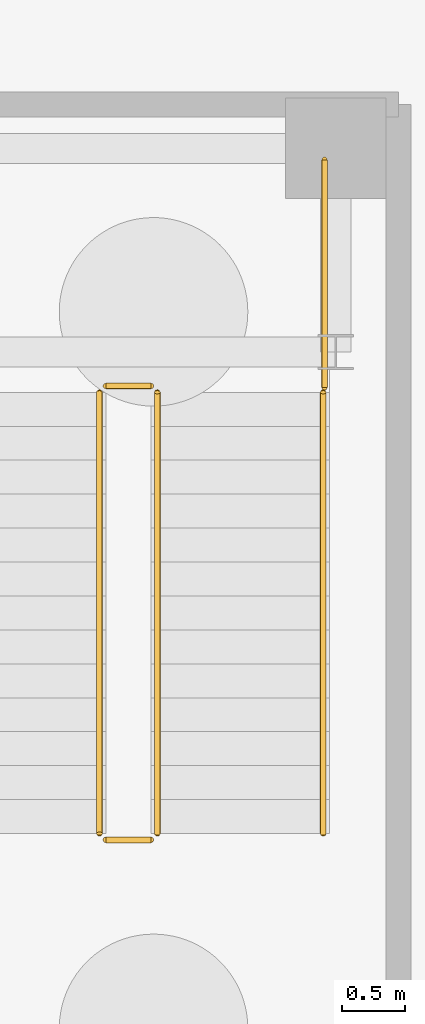
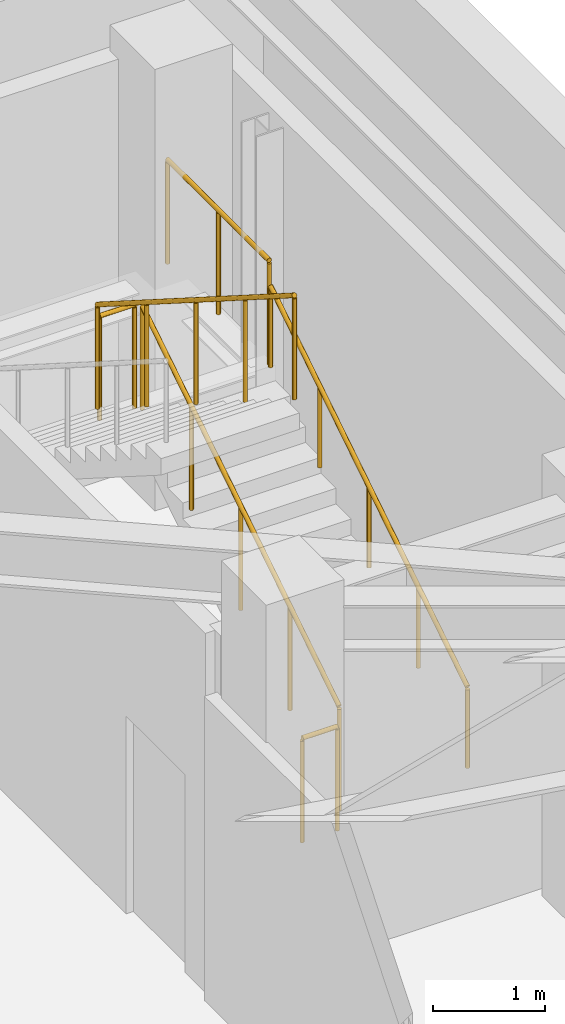
# One storey, part 19 of 20: 6 railings.
"""IFC4 building model written with IfcOpenShell, lengths in metres."""

import ifcopenshell
import ifcopenshell.guid

model = None  # the IFC model being written
_history = None  # IfcOwnerHistory: only IFC2X3 demands one
_inside = {}  # id of a spatial element -> (the spatial element, [elements in it])
_under = {}  # id of a project, library or spatial element -> (it, [spatial elements below it])
_declared = {}  # id of a project -> (the project, [libraries it declares])
_typed = {}  # id of a type object -> (the type object, [elements of that type])
_made_of = {}  # id of a material, layer set ... -> (it, [elements and type objects made of it])


def new_model(schema):
    """Start an empty IFC model of exactly this schema.

    Asked for "IFC4X3", IfcOpenShell would pick the latest addendum, in which some entities
    have other attributes; the version numbers below select the first issue.
    IFC2X3 requires an IfcOwnerHistory on every rooted entity: one is made here for all.
    """
    global model, _history
    if schema == "IFC4X3":
        model = ifcopenshell.file(schema_version=(4, 3, 0, 0))
    else:
        model = ifcopenshell.file(schema=schema)
    _inside.clear()
    _under.clear()
    _declared.clear()
    _typed.clear()
    _made_of.clear()
    _history = None
    if model.schema == "IFC2X3":
        org = make("IfcOrganization", Name="unknown")
        user = make(
            "IfcPersonAndOrganization",
            ThePerson=make("IfcPerson", FamilyName="unknown"),
            TheOrganization=org,
        )
        app = make(
            "IfcApplication",
            ApplicationDeveloper=org,
            Version="unknown",
            ApplicationFullName="unknown",
            ApplicationIdentifier="unknown",
        )
        _history = make(
            "IfcOwnerHistory",
            OwningUser=user,
            OwningApplication=app,
            ChangeAction="ADDED",
            CreationDate=0,
        )
    return model


def make(cls, **values):
    """One entity of the class cls with the attributes given. An attribute that is None is left unset."""
    return model.create_entity(
        cls, **{name: value for name, value in values.items() if value is not None}
    )


def rooted(cls, **values):
    """An entity with a GlobalId (a new one), such as an element, a storey or a relation."""
    return make(cls, GlobalId=ifcopenshell.guid.new(), OwnerHistory=_history, **values)


def si_unit(unit_type, name, prefix=None):
    """IfcSIUnit, for example si_unit("LENGTHUNIT", "METRE", prefix="MILLI")."""
    return make("IfcSIUnit", UnitType=unit_type, Prefix=prefix, Name=name)


def assignment(units):
    """IfcUnitAssignment: the units of a project."""
    return None if units is None else make("IfcUnitAssignment", Units=units)


def point(xyz):
    """IfcCartesianPoint."""
    return None if xyz is None else make("IfcCartesianPoint", Coordinates=xyz)


def direction(xyz):
    """IfcDirection."""
    return None if xyz is None else make("IfcDirection", DirectionRatios=xyz)


def frame(location, z_axis=None, x_axis=None):
    """IfcAxis2Placement3D, a coordinate frame: its origin and axes. An axis left out is left unset."""
    return make(
        "IfcAxis2Placement3D",
        Location=point(location),
        Axis=direction(z_axis),
        RefDirection=direction(x_axis),
    )


def frame_2d(location, x_axis=None):
    """IfcAxis2Placement2D, a coordinate frame in the plane: its origin and x axis."""
    return make(
        "IfcAxis2Placement2D", Location=point(location), RefDirection=direction(x_axis)
    )


def origin():
    """The frame at (0, 0, 0) with its axes left unset."""
    return frame((0.0, 0.0, 0.0))


def origin_2d():
    """The frame at (0, 0) in the plane with its x axis left unset."""
    return frame_2d((0.0, 0.0))


def place(relative_to, where):
    """IfcLocalPlacement: puts the frame where relative to a parent placement (None: the world)."""
    return make(
        "IfcLocalPlacement", PlacementRelTo=relative_to, RelativePlacement=where
    )


def context(
    kind, dimensions, precision=None, world=None, true_north=None, identifier=None
):
    """IfcGeometricRepresentationContext, for example the 3D "Model" context."""
    return make(
        "IfcGeometricRepresentationContext",
        ContextIdentifier=identifier,
        ContextType=kind,
        CoordinateSpaceDimension=dimensions,
        Precision=precision,
        WorldCoordinateSystem=world,
        TrueNorth=true_north,
    )


def subcontext(parent, identifier, kind, view, scale=None):
    """IfcGeometricRepresentationSubContext, for example "Body" below "Model"."""
    return make(
        "IfcGeometricRepresentationSubContext",
        ContextIdentifier=identifier,
        ContextType=kind,
        ParentContext=parent,
        TargetScale=scale,
        TargetView=view,
    )


def project(units=None, contexts=None):
    """IfcProject with its units and contexts."""
    return rooted(
        "IfcProject",
        Name="project",
        RepresentationContexts=contexts,
        UnitsInContext=assignment(units),
    )


def spatial(cls, under=None, at=None, **own):
    """A site, building, storey or space (cls), placed at a placement, below another one or the project."""
    s = rooted(cls, ObjectPlacement=at, **own)
    if under is not None:
        _under.setdefault(under.id(), (under, []))[1].append(s)
    return s


def profile(cls, at=None, kind="AREA", **sizes):
    """A parametric profile (cls). Its sizes go by their IFC names, for example OverallWidth=200.0."""
    return make(cls, ProfileType=kind, Position=at, **sizes)


def circle(**sizes):
    """IfcCircleProfileDef."""
    return profile("IfcCircleProfileDef", **sizes)


def extrude(swept, where, along, depth):
    """IfcExtrudedAreaSolid: the profile swept, set in the frame where, extruded along a direction by depth."""
    return make(
        "IfcExtrudedAreaSolid",
        SweptArea=swept,
        Position=where,
        ExtrudedDirection=direction(along),
        Depth=depth,
    )


def shape(context_of_items, identifier, shape_type, items):
    """IfcShapeRepresentation: the items that make up one representation, for example the "Body"."""
    return make(
        "IfcShapeRepresentation",
        ContextOfItems=context_of_items,
        RepresentationIdentifier=identifier,
        RepresentationType=shape_type,
        Items=items,
    )


def material(Name=None, Category=None):
    """IfcMaterial."""
    return make("IfcMaterial", Name=Name, Category=Category)


def layer(
    of_material, thickness, ventilated=None, Name=None, Category=None, Priority=None
):
    """IfcMaterialLayer: one layer of a wall or slab, of a material (None: an air gap)."""
    return make(
        "IfcMaterialLayer",
        Material=of_material,
        LayerThickness=thickness,
        IsVentilated=ventilated,
        Name=Name,
        Category=Category,
        Priority=Priority,
    )


def layer_set(layers, Name=None):
    """IfcMaterialLayerSet."""
    return make("IfcMaterialLayerSet", MaterialLayers=layers, LayerSetName=Name)


def made_of(thing, what):
    """Note that an element or type object is made of a material, layer set ...; save() writes the relation."""
    if what is not None:
        _made_of.setdefault(what.id(), (what, []))[1].append(thing)
    return thing


def type_object(cls, material=None, **own):
    """A type object (cls), such as IfcWallType, which elements share."""
    return made_of(rooted(cls, **own), material)


def element(
    cls,
    number,
    at=None,
    inside=None,
    cuts=None,
    type_object=None,
    material=None,
    context=None,
    identifier="Body",
    shape_type=None,
    held_by="IfcProductDefinitionShape",
    body=None,
    shapes=None,
    **own,
):
    """One element of the class cls, such as IfcWall. Its Tag is "e" and its number.

    at: its placement. inside: the storey or other place that contains it. cuts: it is an
    opening in that element (IfcRelVoidsElement). A single representation is given by context,
    identifier, shape_type and body (its items); several are given by shapes. held_by: the class
    of the entity that holds the representations. save() writes the other relations.
    """
    e = rooted(cls, Tag="e%d" % number, ObjectPlacement=at, **own)
    if body is not None:
        shapes = [shape(context, identifier, shape_type, body)]
    if shapes is not None:
        e.Representation = make(held_by, Representations=shapes)
    if inside is not None:
        _inside.setdefault(inside.id(), (inside, []))[1].append(e)
    if cuts is not None:
        rooted(
            "IfcRelVoidsElement", RelatingBuildingElement=cuts, RelatedOpeningElement=e
        )
    if type_object is not None:
        _typed.setdefault(type_object.id(), (type_object, []))[1].append(e)
    return made_of(e, material)


def aggregate(whole, parts):
    """IfcRelAggregates: a whole, such as a stair, and the parts it consists of."""
    return rooted("IfcRelAggregates", RelatingObject=whole, RelatedObjects=parts)


def save(model, path):
    """Write the relations noted so far, then the file.

    IfcRelAggregates (storeys below a building ...), IfcRelContainedInSpatialStructure (elements
    in a storey), IfcRelDefinesByType, IfcRelAssociatesMaterial and IfcRelDeclares: one each for
    every whole, place, type object, material and project.
    """
    for whole, parts in _under.values():
        aggregate(whole, parts)
    for where, things in _inside.values():
        rooted(
            "IfcRelContainedInSpatialStructure",
            RelatedElements=things,
            RelatingStructure=where,
        )
    for kind, things in _typed.values():
        rooted("IfcRelDefinesByType", RelatedObjects=things, RelatingType=kind)
    for what, things in _made_of.values():
        rooted("IfcRelAssociatesMaterial", RelatedObjects=things, RelatingMaterial=what)
    for by, libraries in _declared.values():
        rooted("IfcRelDeclares", RelatingContext=by, RelatedDefinitions=libraries)
    model.write(path)


model = new_model("IFC4")

# Units and contexts
model_context = context("Model", 3, precision=1e-05, world=origin(), true_north=direction((0.0, 1.0)))
body_context = subcontext(model_context, "Body", "Model", "MODEL_VIEW")
ifc_project = project(units=[si_unit("LENGTHUNIT", "METRE"), si_unit("AREAUNIT", "SQUARE_METRE"), si_unit("VOLUMEUNIT", "CUBIC_METRE"), si_unit("PLANEANGLEUNIT", "RADIAN"), si_unit("MASSUNIT", "GRAM", prefix="KILO")], contexts=[model_context])

# Site, building, storey
site_placement = place(None, origin())
site = spatial("IfcSite", under=ifc_project, at=site_placement, CompositionType="ELEMENT")
building_placement = place(site_placement, origin())
building = spatial("IfcBuilding", under=site, at=building_placement, Name="Terralouvre Media Tower", CompositionType="ELEMENT")
storey_placement = place(building_placement, frame((0.0, 0.0, -9.60009765625)))
storey = spatial("IfcBuildingStorey", under=building, at=storey_placement, Name="B02", CompositionType="ELEMENT", Elevation=-9.60009765625)

# Railings
ifc_material_1 = material(Name="Stainless steel 316 handrail and balustrade", Category="steel")
ifc_layer_1 = layer(ifc_material_1, 0.050048828125, Name="Stair Flight Wall Handrail HR-INT1")
ifc_layer_set_1 = layer_set([ifc_layer_1], Name="Stainless steel 316 handrail and balustrade")
railing_type_1 = type_object("IfcRailingType", Name="Stair Flight Wall Handrail HR-INT1", PredefinedType="HANDRAIL", material=ifc_layer_set_1)
railing_1_placement = place(storey_placement, frame((34.14990234375, 5.85009765625, 0.171630859375)))
element("IfcRailing", 1, at=railing_1_placement, inside=storey, type_object=railing_type_1, Name="B02 ST-04 stair handrail 1", PredefinedType="HANDRAIL", context=body_context, shape_type="SweptSolid", body=[
    extrude(circle(Radius=0.02392578125, at=origin_2d()), frame((0.0, 0.0, 0.8759765625), z_axis=(0.0, 0.844219563411, 0.53599750816), x_axis=(-1.0, 0.0, 0.0)), (0.0, 0.0, 1.0), 4.15771484375),
    extrude(circle(Radius=0.02099609375, at=origin_2d()), origin(), (0.0, 0.0, 1.0), 0.851806640625),
    extrude(circle(Radius=0.02099609375, at=origin_2d()), frame((0.0, 0.87744140625, 0.55712890625)), (0.0, 0.0, 1.0), 0.851806640625),
    extrude(circle(Radius=0.02099609375, at=origin_2d()), frame((0.0, 1.7548828125, 1.1142578125)), (0.0, 0.0, 1.0), 0.851806640625),
    extrude(circle(Radius=0.02099609375, at=origin_2d()), frame((0.0, 2.632568359375, 1.67138671875)), (0.0, 0.0, 1.0), 0.851806640625),
    extrude(circle(Radius=0.02099609375, at=origin_2d()), frame((0.0, 3.510009765625, 2.228515625)), (0.0, 0.0, 1.0), 0.851806640625),
])
ifc_material_2 = material(Name="Stainless steel 316 handrail and balustrade", Category="steel")
ifc_layer_2 = layer(ifc_material_2, 0.050048828125, Name="Stairwell Safety Guardrail GR-INT1")
ifc_layer_set_2 = layer_set([ifc_layer_2], Name="Stainless steel 316 handrail and balustrade")
railing_type_2 = type_object("IfcRailingType", Name="Stairwell Safety Guardrail GR-INT1", PredefinedType="GUARDRAIL", material=ifc_layer_set_2)
railing_2_placement = place(storey_placement, frame((32.830078125, 5.85009765625, 0.171630859375)))
element("IfcRailing", 2, at=railing_2_placement, inside=storey, type_object=railing_type_2, Name="B02 ST-04 stair guard 1", PredefinedType="GUARDRAIL", context=body_context, shape_type="SweptSolid", body=[
    extrude(circle(Radius=0.02392578125, at=origin_2d()), frame((0.0, 0.0, 1.1259765625), z_axis=(0.0, 0.844219563411, 0.53599750816), x_axis=(-1.0, 0.0, 0.0)), (0.0, 0.0, 1.0), 4.15771484375),
    extrude(circle(Radius=0.02099609375, at=origin_2d()), origin(), (0.0, 0.0, 1.0), 1.101806640625),
    extrude(circle(Radius=0.02099609375, at=origin_2d()), frame((0.0, 0.87744140625, 0.55712890625)), (0.0, 0.0, 1.0), 1.101806640625),
    extrude(circle(Radius=0.02099609375, at=origin_2d()), frame((0.0, 1.7548828125, 1.1142578125)), (0.0, 0.0, 1.0), 1.101806640625),
    extrude(circle(Radius=0.02099609375, at=origin_2d()), frame((0.0, 2.632568359375, 1.67138671875)), (0.0, 0.0, 1.0), 1.101806640625),
    extrude(circle(Radius=0.02099609375, at=origin_2d()), frame((0.0, 3.510009765625, 2.228515625)), (0.0, 0.0, 1.0), 1.101806640625),
])
railing_3_placement = place(storey_placement, frame((32.780029296875, 9.409912109375, 2.400146484375)))
element("IfcRailing", 3, at=railing_3_placement, inside=storey, type_object=railing_type_2, Name="B02 ST-04 stair guard 2", PredefinedType="GUARDRAIL", context=body_context, shape_type="SweptSolid", body=[
    extrude(circle(Radius=0.02392578125, at=origin_2d()), frame((0.0, 0.0, 1.1259765625), z_axis=(-1.0, 0.0, 0.0), x_axis=(0.0, -1.0, 0.0)), (0.0, 0.0, 1.0), 0.360107421875),
    extrude(circle(Radius=0.02099609375, at=origin_2d()), origin(), (0.0, 0.0, 1.0), 1.101806640625),
    extrude(circle(Radius=0.02099609375, at=origin_2d()), frame((-0.360107421875, 0.0, 0.0)), (0.0, 0.0, 1.0), 1.101806640625),
])
railing_4_placement = place(storey_placement, frame((32.3701171875, 9.360107421875, 2.571533203125)))
element("IfcRailing", 4, at=railing_4_placement, inside=storey, type_object=railing_type_2, Name="B02 ST-04 stair guard 3", PredefinedType="GUARDRAIL", context=body_context, shape_type="SweptSolid", body=[
    extrude(circle(Radius=0.02392578125, at=origin_2d()), frame((0.0, 0.0, 1.1259765625), z_axis=(0.0, -0.844219563411, 0.53599750816), x_axis=(1.0, 0.0, 0.0)), (0.0, 0.0, 1.0), 4.15771484375),
    extrude(circle(Radius=0.02099609375, at=origin_2d()), origin(), (0.0, 0.0, 1.0), 1.101806640625),
    extrude(circle(Radius=0.02099609375, at=origin_2d()), frame((0.0, -0.87744140625, 0.55712890625)), (0.0, 0.0, 1.0), 1.101806640625),
    extrude(circle(Radius=0.02099609375, at=origin_2d()), frame((0.0, -1.7548828125, 1.1142578125)), (0.0, 0.0, 1.0), 1.101806640625),
    extrude(circle(Radius=0.02099609375, at=origin_2d()), frame((0.0, -2.632568359375, 1.67138671875)), (0.0, 0.0, 1.0), 1.101806640625),
    extrude(circle(Radius=0.02099609375, at=origin_2d()), frame((0.0, -3.510009765625, 2.228515625)), (0.0, 0.0, 1.0), 1.101806640625),
])
railing_5_placement = place(storey_placement, frame((32.780029296875, 5.800048828125, 0.0)))
element("IfcRailing", 5, at=railing_5_placement, inside=storey, type_object=railing_type_2, Name="B02 ST-04 stair guard 4", PredefinedType="GUARDRAIL", context=body_context, shape_type="SweptSolid", body=[
    extrude(circle(Radius=0.02392578125, at=origin_2d()), frame((0.0, 0.0, 1.1259765625), z_axis=(-1.0, 0.0, 0.0), x_axis=(0.0, -1.0, 0.0)), (0.0, 0.0, 1.0), 0.360107421875),
    extrude(circle(Radius=0.02099609375, at=origin_2d()), origin(), (0.0, 0.0, 1.0), 1.101806640625),
    extrude(circle(Radius=0.02099609375, at=origin_2d()), frame((-0.360107421875, 0.0, 0.0)), (0.0, 0.0, 1.0), 1.101806640625),
])
railing_6_placement = place(storey_placement, frame((34.159912109375, 9.39990234375, 2.400146484375)))
element("IfcRailing", 6, at=railing_6_placement, inside=storey, type_object=railing_type_2, Name="B02 ST-04 Half-Landing Outer Guardrail", PredefinedType="GUARDRAIL", context=body_context, shape_type="SweptSolid", body=[
    extrude(circle(Radius=0.02392578125, at=origin_2d()), frame((0.0, 0.0, 1.1259765625), z_axis=(0.0, 1.0, 0.0), x_axis=(-1.0, 0.0, 0.0)), (0.0, 0.0, 1.0), 1.81005859375),
    extrude(circle(Radius=0.02099609375, at=origin_2d()), origin(), (0.0, 0.0, 1.0), 1.101806640625),
    extrude(circle(Radius=0.02099609375, at=origin_2d()), frame((0.0, 0.905029296875, 0.0)), (0.0, 0.0, 1.0), 1.101806640625),
    extrude(circle(Radius=0.02099609375, at=origin_2d()), frame((0.0, 1.81005859375, 0.0)), (0.0, 0.0, 1.0), 1.101806640625),
])

save(model, "model.ifc")
